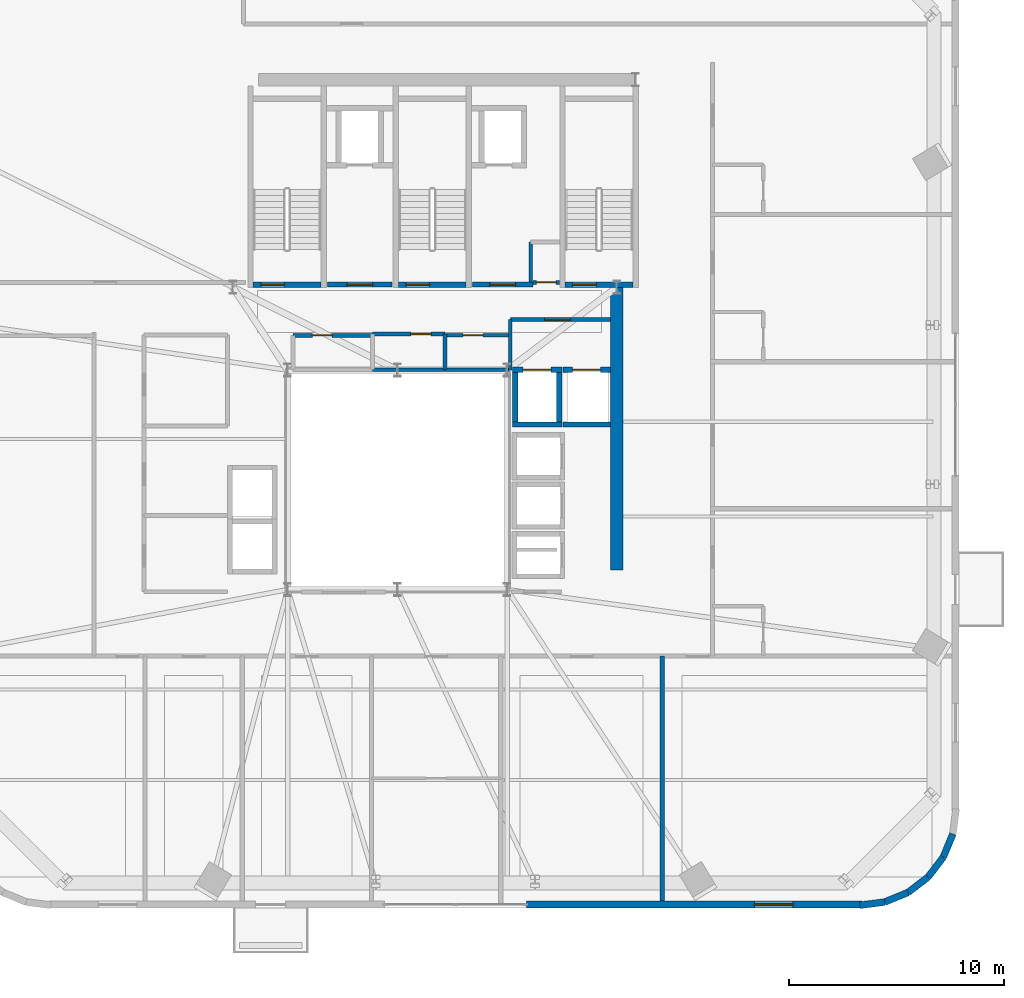
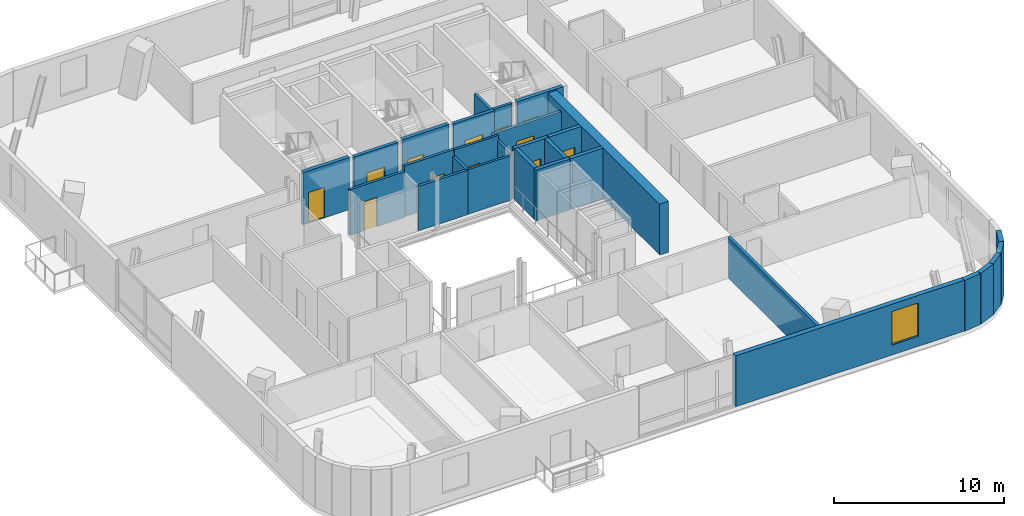
# One storey, part 8 of 12: 29 walls, 12 doors, 1 window, 13 openings.
"""IFC4 building model written with IfcOpenShell, lengths in metres."""

from ifc_helpers import new_model, si_unit, direction, frame, frame_2d, origin, place, context, subcontext, project, spatial, rectangle, extrude, source, transform, mapped, material, layer, layer_set, type_object, element, fill, save


model = new_model("IFC4")

# Units and contexts
model_context = context("Model", 3, precision=1e-05, world=origin(), true_north=direction((0.0, 1.0)))
body_context = subcontext(model_context, "Body", "Model", "MODEL_VIEW")
ifc_project = project(units=[si_unit("LENGTHUNIT", "METRE"), si_unit("AREAUNIT", "SQUARE_METRE"), si_unit("VOLUMEUNIT", "CUBIC_METRE"), si_unit("PLANEANGLEUNIT", "RADIAN"), si_unit("MASSUNIT", "GRAM", prefix="KILO")], contexts=[model_context])

# Site, building, storey
site_placement = place(None, origin())
site = spatial("IfcSite", under=ifc_project, at=site_placement, CompositionType="ELEMENT")
building_placement = place(site_placement, origin())
building = spatial("IfcBuilding", under=site, at=building_placement, Name="Vardaveli Station Tower", CompositionType="ELEMENT")
storey_placement = place(building_placement, frame((0.0, 0.0, 254.550048828125)))
storey = spatial("IfcBuildingStorey", under=building, at=storey_placement, Name="L65", CompositionType="ELEMENT", Elevation=254.550048828125)

# Wall
ifc_material_1 = material(Name="Concrete C50/60", Category="concrete")
ifc_layer_1 = layer(ifc_material_1, 0.60009765625, Name="Concrete C50/60")
ifc_layer_set_1 = layer_set([ifc_layer_1], Name="Concrete C50/60")
wall_type_1 = type_object("IfcWallType", Name="WAL-CORE-600", PredefinedType="SHEAR", material=ifc_layer_set_1)
shared_shape_1 = source(origin(), body_context, "Body", "SweptSolid", [
    extrude(rectangle(XDim=13.14990234375, YDim=0.60009765625, at=frame_2d((6.574951171875, 0.0))), origin(), (0.0, 0.0, 1.0), 3.64990234375),
])
wall_1_placement = place(storey_placement, frame((46.5, 17.5, 0.0), z_axis=(0.0, 0.0, 1.0), x_axis=(0.0, 1.0, 0.0)))
element("IfcWall", 1, at=wall_1_placement, inside=storey, type_object=wall_type_1, Name="SW-L65-EAST2", PredefinedType="SHEAR", context=body_context, shape_type="MappedRepresentation", body=[
    mapped(shared_shape_1, transform((0.0, 0.0, 0.0), scale=1.0)),
])

# Wall, opening, window
ifc_material_2 = material(Name="Precast concrete C45/55", Category="concrete")
ifc_layer_2 = layer(ifc_material_2, 0.320068359375, Name="Precast concrete C45/55")
ifc_layer_set_2 = layer_set([ifc_layer_2], Name="Precast concrete C45/55")
wall_type_2 = type_object("IfcWallType", Name="WAL-EXT-STONE-320", PredefinedType="SOLIDWALL", material=ifc_layer_set_2)
shared_shape_2 = source(origin(), body_context, "Body", "SweptSolid", [
    extrude(rectangle(XDim=15.599853515625, YDim=0.320068359375, at=frame_2d((7.7998046875, 0.0))), origin(), (0.0, 0.0, 1.0), 3.64990234375),
])
wall_2_placement = place(storey_placement, frame((42.300048828125, 1.9599609375, 0.0), z_axis=(0.0, 0.0, 1.0), x_axis=(1.0, 0.0, 0.0)))
wall_2 = element("IfcWall", 2, at=wall_2_placement, inside=storey, type_object=wall_type_2, Name="EW-L65-S2", PredefinedType="SOLIDWALL", context=body_context, shape_type="MappedRepresentation", body=[
    mapped(shared_shape_2, transform((0.0, 0.0, 0.0), scale=1.0)),
])
shared_shape_3 = source(origin(), body_context, "Body", "SweptSolid", [
    extrude(rectangle(XDim=1.800048828125, YDim=2.39990234375, at=frame_2d((0.89990234375, 1.199951171875))), frame((0.0, 0.169921875, 0.0), z_axis=(0.0, -1.0, 0.0), x_axis=(1.0, 0.0, 0.0)), (0.0, 0.0, 1.0), 0.340087890625),
])
opening_1_placement = place(wall_2_placement, frame((10.594970703125, 0.0, 0.719970703125)))
opening_1 = element("IfcOpeningElement", 3, at=opening_1_placement, cuts=wall_2, Name="Opening W-05", PredefinedType="OPENING", context=body_context, shape_type="MappedRepresentation", body=[
    mapped(shared_shape_3, transform((0.0, 0.0, 0.0), scale=1.0)),
])
ifc_material_3 = material(Name="Low-E solar-control glass", Category="glass")
window_type = type_object("IfcWindowType", Name="WIN-HIGH-1800x2400", PartitioningType="SINGLE_PANEL", PredefinedType="WINDOW", material=ifc_material_3)
shared_shape_4 = source(origin(), body_context, "Body", "SweptSolid", [
    extrude(rectangle(XDim=1.800048828125, YDim=2.39990234375, at=frame_2d((0.89990234375, 1.199951171875))), frame((0.0, 0.030029296875, 0.0), z_axis=(0.0, -1.0, 0.0), x_axis=(1.0, 0.0, 0.0)), (0.0, 0.0, 1.0), 0.06005859375),
])
window_placement = place(opening_1_placement, origin())
window = element("IfcWindow", 4, at=window_placement, inside=storey, type_object=window_type, Name="WN-L65-S2", OverallHeight=2.39990234375, OverallWidth=1.800048828125, PartitioningType="SINGLE_PANEL", PredefinedType="WINDOW", context=body_context, shape_type="MappedRepresentation", body=[
    mapped(shared_shape_4, transform((0.0, 0.0, 0.0), scale=1.0)),
])
fill(opening_1, window)

# Walls
shared_shape_5 = source(origin(), body_context, "Body", "SweptSolid", [
    extrude(rectangle(XDim=1.1689453125, YDim=0.320068359375, at=frame_2d((0.58447265625, 0.0))), origin(), (0.0, 0.0, 1.0), 3.64990234375),
])
for number, where, z_axis, x_axis, name in (
    (5, (60.96875, 3.231201171875, 0.0), (0.0, 0.0, 1.0), (0.608387696831, 0.793639975269, 0.0), "EW-L65-CR2-4"),
    (6, (61.679931640625, 4.158935546875, 0.0), (0.0, 0.0, 1.0), (0.381127904695, 0.924522320046, 0.0), "EW-L65-CR2-5"),
):
    element("IfcWall", number, at=place(storey_placement, frame(where, z_axis=z_axis, x_axis=x_axis)), inside=storey, type_object=wall_type_2, Name=name, PredefinedType="SOLIDWALL", context=body_context, shape_type="MappedRepresentation", body=[
        mapped(shared_shape_5, transform((0.0, 0.0, 0.0), scale=1.0)),
    ])
shared_shape_6 = source(origin(), body_context, "Body", "SweptSolid", [
    extrude(rectangle(XDim=1.168701171875, YDim=0.320068359375, at=frame_2d((0.58447265625, 0.0))), origin(), (0.0, 0.0, 1.0), 3.64990234375),
])
wall_3_placement = place(storey_placement, frame((60.041259765625, 2.520263671875, 0.0), z_axis=(0.0, 0.0, 1.0), x_axis=(0.793663520347, 0.608356981114, 0.0)))
element("IfcWall", 7, at=wall_3_placement, inside=storey, type_object=wall_type_2, Name="EW-L65-CR2-3", PredefinedType="SOLIDWALL", context=body_context, shape_type="MappedRepresentation", body=[
    mapped(shared_shape_6, transform((0.0, 0.0, 0.0), scale=1.0)),
])
shared_shape_7 = source(origin(), body_context, "Body", "SweptSolid", [
    extrude(rectangle(XDim=1.16943359375, YDim=0.320068359375, at=frame_2d((0.584716796875, 0.0))), origin(), (0.0, 0.0, 1.0), 3.64990234375),
])
wall_4_placement = place(storey_placement, frame((58.960205078125, 2.074462890625, 0.0), z_axis=(0.0, 0.0, 1.0), x_axis=(0.924479075121, 0.381232789334, 0.0)))
element("IfcWall", 8, at=wall_4_placement, inside=storey, type_object=wall_type_2, Name="EW-L65-CR2-2", PredefinedType="SOLIDWALL", context=body_context, shape_type="MappedRepresentation", body=[
    mapped(shared_shape_7, transform((0.0, 0.0, 0.0), scale=1.0)),
])
shared_shape_8 = source(origin(), body_context, "Body", "SweptSolid", [
    extrude(rectangle(XDim=1.170166015625, YDim=0.320068359375, at=frame_2d((0.5849609375, 0.0))), origin(), (0.0, 0.0, 1.0), 3.64990234375),
])
wall_5_placement = place(storey_placement, frame((57.799560546875, 1.924560546875, 0.0), z_axis=(0.0, 0.0, 1.0), x_axis=(0.991762485493, 0.128090485085, 0.0)))
element("IfcWall", 9, at=wall_5_placement, inside=storey, type_object=wall_type_2, Name="EW-L65-CR2-1", PredefinedType="SOLIDWALL", context=body_context, shape_type="MappedRepresentation", body=[
    mapped(shared_shape_8, transform((0.0, 0.0, 0.0), scale=1.0)),
])

# Wall, opening, door
ifc_material_4 = material(Name="Concrete C40/50", Category="concrete")
ifc_layer_3 = layer(ifc_material_4, 0.25, Name="Concrete C40/50")
ifc_layer_set_3 = layer_set([ifc_layer_3], Name="Concrete C40/50")
wall_type_3 = type_object("IfcWallType", Name="WAL-SHAFT-250", PredefinedType="SOLIDWALL", material=ifc_layer_set_3)
shared_shape_9 = source(origin(), body_context, "Body", "SweptSolid", [
    extrude(rectangle(XDim=3.14990234375, YDim=0.25, at=frame_2d((1.574951171875, 0.0))), origin(), (0.0, 0.0, 1.0), 3.75),
])
wall_6_placement = place(storey_placement, frame((29.60009765625, 30.77490234375, 0.0), z_axis=(0.0, 0.0, 1.0), x_axis=(1.0, 0.0, 0.0)))
wall_6 = element("IfcWall", 10, at=wall_6_placement, inside=storey, type_object=wall_type_3, Name="W-L65-ST-1S", PredefinedType="SOLIDWALL", context=body_context, shape_type="MappedRepresentation", body=[
    mapped(shared_shape_9, transform((0.0, 0.0, 0.0), scale=1.0)),
])
shared_shape_10 = source(origin(), body_context, "Body", "SweptSolid", [
    extrude(rectangle(XDim=1.10009765625, YDim=2.199951171875, at=frame_2d((0.550048828125, 1.10009765625))), frame((0.0, 0.135009765625, 0.0), z_axis=(0.0, -1.0, 0.0), x_axis=(1.0, 0.0, 0.0)), (0.0, 0.0, 1.0), 0.27001953125),
])
opening_2_placement = place(wall_6_placement, frame((0.35009765625, 0.0, 0.0)))
opening_2 = element("IfcOpeningElement", 11, at=opening_2_placement, cuts=wall_6, Name="Opening D-04", PredefinedType="OPENING", context=body_context, shape_type="MappedRepresentation", body=[
    mapped(shared_shape_10, transform((0.0, 0.0, 0.0), scale=1.0)),
])
ifc_material_5 = material(Name="Steel smokeproof fire doorset", Category="steel")
door_type_1 = type_object("IfcDoorType", Name="DR-ST-1100x2200", OperationType="NOTDEFINED", PredefinedType="DOOR", material=ifc_material_5)
shared_shape_11 = source(origin(), body_context, "Body", "SweptSolid", [
    extrude(rectangle(XDim=1.10009765625, YDim=2.199951171875, at=frame_2d((0.550048828125, 1.10009765625))), frame((0.0, 0.02490234375, 0.0), z_axis=(0.0, -1.0, 0.0), x_axis=(1.0, 0.0, 0.0)), (0.0, 0.0, 1.0), 0.050048828125),
])
door_1_placement = place(opening_2_placement, origin())
door_1 = element("IfcDoor", 12, at=door_1_placement, inside=storey, type_object=door_type_1, Name="DST-1-L65", OperationType="SINGLE_SWING_LEFT", OverallHeight=2.199951171875, OverallWidth=1.10009765625, PredefinedType="DOOR", context=body_context, shape_type="MappedRepresentation", body=[
    mapped(shared_shape_11, transform((0.0, 0.0, 0.0), scale=1.0)),
])
fill(opening_2, door_1)

wall_7_placement = place(storey_placement, frame((36.35009765625, 30.77490234375, 0.0), z_axis=(0.0, 0.0, 1.0), x_axis=(1.0, 0.0, 0.0)))
wall_7 = element("IfcWall", 13, at=wall_7_placement, inside=storey, type_object=wall_type_3, Name="W-L65-ST-2S", PredefinedType="SOLIDWALL", context=body_context, shape_type="MappedRepresentation", body=[
    mapped(shared_shape_9, transform((0.0, 0.0, 0.0), scale=1.0)),
])
opening_3_placement = place(wall_7_placement, frame((0.35009765625, 0.0, 0.0)))
opening_3 = element("IfcOpeningElement", 14, at=opening_3_placement, cuts=wall_7, Name="Opening D-04", PredefinedType="OPENING", context=body_context, shape_type="MappedRepresentation", body=[
    mapped(shared_shape_10, transform((0.0, 0.0, 0.0), scale=1.0)),
])
door_2_placement = place(opening_3_placement, origin())
door_2 = element("IfcDoor", 15, at=door_2_placement, inside=storey, type_object=door_type_1, Name="DST-2-L65", OperationType="SINGLE_SWING_LEFT", OverallHeight=2.199951171875, OverallWidth=1.10009765625, PredefinedType="DOOR", context=body_context, shape_type="MappedRepresentation", body=[
    mapped(shared_shape_11, transform((0.0, 0.0, 0.0), scale=1.0)),
])
fill(opening_3, door_2)

wall_8_placement = place(storey_placement, frame((44.10009765625, 30.77490234375, 0.0), z_axis=(0.0, 0.0, 1.0), x_axis=(1.0, 0.0, 0.0)))
wall_8 = element("IfcWall", 16, at=wall_8_placement, inside=storey, type_object=wall_type_3, Name="W-L65-ST-3S", PredefinedType="SOLIDWALL", context=body_context, shape_type="MappedRepresentation", body=[
    mapped(shared_shape_9, transform((0.0, 0.0, 0.0), scale=1.0)),
])
opening_4_placement = place(wall_8_placement, frame((0.35009765625, 0.0, 0.0)))
opening_4 = element("IfcOpeningElement", 17, at=opening_4_placement, cuts=wall_8, Name="Opening D-04", PredefinedType="OPENING", context=body_context, shape_type="MappedRepresentation", body=[
    mapped(shared_shape_10, transform((0.0, 0.0, 0.0), scale=1.0)),
])
door_3_placement = place(opening_4_placement, origin())
door_3 = element("IfcDoor", 18, at=door_3_placement, inside=storey, type_object=door_type_1, Name="DST-3-L65", OperationType="SINGLE_SWING_LEFT", OverallHeight=2.199951171875, OverallWidth=1.10009765625, PredefinedType="DOOR", context=body_context, shape_type="MappedRepresentation", body=[
    mapped(shared_shape_11, transform((0.0, 0.0, 0.0), scale=1.0)),
])
fill(opening_4, door_3)

ifc_layer_4 = layer(ifc_material_4, 0.219970703125, Name="Concrete C40/50")
ifc_layer_set_4 = layer_set([ifc_layer_4], Name="Concrete C40/50")
wall_type_4 = type_object("IfcWallType", Name="WAL-FFLOBBY-220", PredefinedType="SOLIDWALL", material=ifc_layer_set_4)
shared_shape_12 = source(origin(), body_context, "Body", "SweptSolid", [
    extrude(rectangle(XDim=3.0, YDim=0.219970703125, at=frame_2d((1.5, 0.0))), origin(), (0.0, 0.0, 1.0), 3.64990234375),
])
wall_9_placement = place(storey_placement, frame((33.050048828125, 30.780029296875, 0.0), z_axis=(0.0, 0.0, 1.0), x_axis=(1.0, 0.0, 0.0)))
wall_9 = element("IfcWall", 19, at=wall_9_placement, inside=storey, type_object=wall_type_4, Name="W-L65-FFL1S", PredefinedType="SOLIDWALL", context=body_context, shape_type="MappedRepresentation", body=[
    mapped(shared_shape_12, transform((0.0, 0.0, 0.0), scale=1.0)),
])
shared_shape_13 = source(origin(), body_context, "Body", "SweptSolid", [
    extrude(rectangle(XDim=1.199951171875, YDim=2.199951171875, at=frame_2d((0.60009765625, 1.10009765625))), frame((0.0, 0.1201171875, 0.0), z_axis=(0.0, -1.0, 0.0), x_axis=(1.0, 0.0, 0.0)), (0.0, 0.0, 1.0), 0.239990234375),
])
opening_5_placement = place(wall_9_placement, frame((0.89990234375, 0.0, 0.0)))
opening_5 = element("IfcOpeningElement", 20, at=opening_5_placement, cuts=wall_9, Name="Opening D-03", PredefinedType="OPENING", context=body_context, shape_type="MappedRepresentation", body=[
    mapped(shared_shape_13, transform((0.0, 0.0, 0.0), scale=1.0)),
])
door_type_2 = type_object("IfcDoorType", Name="DR-FFL-1200x2200", OperationType="NOTDEFINED", PredefinedType="DOOR", material=ifc_material_5)
shared_shape_14 = source(origin(), body_context, "Body", "SweptSolid", [
    extrude(rectangle(XDim=1.199951171875, YDim=2.199951171875, at=frame_2d((0.60009765625, 1.10009765625))), frame((0.0, 0.02490234375, 0.0), z_axis=(0.0, -1.0, 0.0), x_axis=(1.0, 0.0, 0.0)), (0.0, 0.0, 1.0), 0.050048828125),
])
door_4_placement = place(opening_5_placement, origin())
door_4 = element("IfcDoor", 21, at=door_4_placement, inside=storey, type_object=door_type_2, Name="DFFL1-L65", OperationType="SINGLE_SWING_LEFT", OverallHeight=2.199951171875, OverallWidth=1.199951171875, PredefinedType="DOOR", context=body_context, shape_type="MappedRepresentation", body=[
    mapped(shared_shape_14, transform((0.0, 0.0, 0.0), scale=1.0)),
])
fill(opening_5, door_4)

shared_shape_15 = source(origin(), body_context, "Body", "SweptSolid", [
    extrude(rectangle(XDim=2.800048828125, YDim=0.219970703125, at=frame_2d((1.39990234375, 0.0))), origin(), (0.0, 0.0, 1.0), 3.64990234375),
])
wall_10_placement = place(storey_placement, frame((39.800048828125, 30.780029296875, 0.0), z_axis=(0.0, 0.0, 1.0), x_axis=(1.0, 0.0, 0.0)))
wall_10 = element("IfcWall", 22, at=wall_10_placement, inside=storey, type_object=wall_type_4, Name="W-L65-FFL2S", PredefinedType="SOLIDWALL", context=body_context, shape_type="MappedRepresentation", body=[
    mapped(shared_shape_15, transform((0.0, 0.0, 0.0), scale=1.0)),
])
opening_6_placement = place(wall_10_placement, frame((0.800048828125, 0.0, 0.0)))
opening_6 = element("IfcOpeningElement", 23, at=opening_6_placement, cuts=wall_10, Name="Opening D-03", PredefinedType="OPENING", context=body_context, shape_type="MappedRepresentation", body=[
    mapped(shared_shape_13, transform((0.0, 0.0, 0.0), scale=1.0)),
])
door_5_placement = place(opening_6_placement, origin())
door_5 = element("IfcDoor", 24, at=door_5_placement, inside=storey, type_object=door_type_2, Name="DFFL2-L65", OperationType="SINGLE_SWING_RIGHT", OverallHeight=2.199951171875, OverallWidth=1.199951171875, PredefinedType="DOOR", context=body_context, shape_type="MappedRepresentation", body=[
    mapped(shared_shape_14, transform((0.0, 0.0, 0.0), scale=1.0)),
])
fill(opening_6, door_5)

# Wall
shared_shape_16 = source(origin(), body_context, "Body", "SweptSolid", [
    extrude(rectangle(XDim=2.300048828125, YDim=0.25, at=frame_2d((1.14990234375, 0.0))), origin(), (0.0, 0.0, 1.0), 3.64990234375),
])
wall_11_placement = place(storey_placement, frame((41.64990234375, 24.27490234375, 0.0), z_axis=(0.0, 0.0, 1.0), x_axis=(1.0, 0.0, 0.0)))
element("IfcWall", 25, at=wall_11_placement, inside=storey, type_object=wall_type_3, Name="SHW-SRV-01-L65-S", PredefinedType="SOLIDWALL", context=body_context, shape_type="MappedRepresentation", body=[
    mapped(shared_shape_16, transform((0.0, 0.0, 0.0), scale=1.0)),
])

# Wall, opening, door
wall_12_placement = place(storey_placement, frame((41.64990234375, 26.824951171875, 0.0), z_axis=(0.0, 0.0, 1.0), x_axis=(1.0, 0.0, 0.0)))
wall_12 = element("IfcWall", 26, at=wall_12_placement, inside=storey, type_object=wall_type_3, Name="SHW-SRV-01-L65-N", PredefinedType="SOLIDWALL", context=body_context, shape_type="MappedRepresentation", body=[
    mapped(shared_shape_16, transform((0.0, 0.0, 0.0), scale=1.0)),
])
shared_shape_17 = source(origin(), body_context, "Body", "SweptSolid", [
    extrude(rectangle(XDim=1.300048828125, YDim=2.300048828125, at=frame_2d((0.64990234375, 1.14990234375))), frame((0.0, 0.135009765625, 0.0), z_axis=(0.0, -1.0, 0.0), x_axis=(1.0, 0.0, 0.0)), (0.0, 0.0, 1.0), 0.27001953125),
])
opening_7_placement = place(wall_12_placement, frame((0.5, 0.0, 0.0)))
opening_7 = element("IfcOpeningElement", 27, at=opening_7_placement, cuts=wall_12, Name="Opening LD-03", PredefinedType="OPENING", context=body_context, shape_type="MappedRepresentation", body=[
    mapped(shared_shape_17, transform((0.0, 0.0, 0.0), scale=1.0)),
])
ifc_material_6 = material(Name="Brushed stainless steel", Category="steel")
door_type_3 = type_object("IfcDoorType", Name="DR-LD-1300x2300", OperationType="DOUBLE_DOOR_SLIDING", PredefinedType="DOOR", material=ifc_material_6)
shared_shape_18 = source(origin(), body_context, "Body", "SweptSolid", [
    extrude(rectangle(XDim=1.300048828125, YDim=2.300048828125, at=frame_2d((0.64990234375, 1.14990234375))), frame((0.0, 0.02490234375, 0.0), z_axis=(0.0, -1.0, 0.0), x_axis=(1.0, 0.0, 0.0)), (0.0, 0.0, 1.0), 0.050048828125),
])
door_6_placement = place(opening_7_placement, origin())
door_6 = element("IfcDoor", 28, at=door_6_placement, inside=storey, type_object=door_type_3, Name="LD-SRV-01-L65", OperationType="DOUBLE_DOOR_SLIDING", OverallHeight=2.300048828125, OverallWidth=1.300048828125, PredefinedType="DOOR", context=body_context, shape_type="MappedRepresentation", body=[
    mapped(shared_shape_18, transform((0.0, 0.0, 0.0), scale=1.0)),
])
fill(opening_7, door_6)

# Walls
for number, where, z_axis, x_axis, name in (
    (29, (41.77490234375, 24.39990234375, 0.0), (0.0, 0.0, 1.0), (0.0, 1.0, 0.0), "SHW-SRV-01-L65-W"),
    (30, (43.824951171875, 24.39990234375, 0.0), (0.0, 0.0, 1.0), (0.0, 1.0, 0.0), "SHW-SRV-01-L65-E"),
):
    element("IfcWall", number, at=place(storey_placement, frame(where, z_axis=z_axis, x_axis=x_axis)), inside=storey, type_object=wall_type_3, Name=name, PredefinedType="SOLIDWALL", context=body_context, shape_type="MappedRepresentation", body=[
        mapped(shared_shape_16, transform((0.0, 0.0, 0.0), scale=1.0)),
    ])
shared_shape_19 = source(origin(), body_context, "Body", "SweptSolid", [
    extrude(rectangle(XDim=2.199951171875, YDim=0.25, at=frame_2d((1.10009765625, 0.0))), origin(), (0.0, 0.0, 1.0), 3.64990234375),
])
wall_13_placement = place(storey_placement, frame((44.0, 24.27490234375, 0.0), z_axis=(0.0, 0.0, 1.0), x_axis=(1.0, 0.0, 0.0)))
element("IfcWall", 31, at=wall_13_placement, inside=storey, type_object=wall_type_3, Name="SHW-SRV-02-L65-S", PredefinedType="SOLIDWALL", context=body_context, shape_type="MappedRepresentation", body=[
    mapped(shared_shape_19, transform((0.0, 0.0, 0.0), scale=1.0)),
])

# Wall, opening, door
wall_14_placement = place(storey_placement, frame((44.0, 26.824951171875, 0.0), z_axis=(0.0, 0.0, 1.0), x_axis=(1.0, 0.0, 0.0)))
wall_14 = element("IfcWall", 32, at=wall_14_placement, inside=storey, type_object=wall_type_3, Name="SHW-SRV-02-L65-N", PredefinedType="SOLIDWALL", context=body_context, shape_type="MappedRepresentation", body=[
    mapped(shared_shape_19, transform((0.0, 0.0, 0.0), scale=1.0)),
])
opening_8_placement = place(wall_14_placement, frame((0.449951171875, 0.0, 0.0)))
opening_8 = element("IfcOpeningElement", 33, at=opening_8_placement, cuts=wall_14, Name="Opening LD-03", PredefinedType="OPENING", context=body_context, shape_type="MappedRepresentation", body=[
    mapped(shared_shape_17, transform((0.0, 0.0, 0.0), scale=1.0)),
])
door_7_placement = place(opening_8_placement, origin())
door_7 = element("IfcDoor", 34, at=door_7_placement, inside=storey, type_object=door_type_3, Name="LD-SRV-02-L65", OperationType="DOUBLE_DOOR_SLIDING", OverallHeight=2.300048828125, OverallWidth=1.300048828125, PredefinedType="DOOR", context=body_context, shape_type="MappedRepresentation", body=[
    mapped(shared_shape_18, transform((0.0, 0.0, 0.0), scale=1.0)),
])
fill(opening_8, door_7)

ifc_material_7 = material(Name="Fire-rated gypsum stud partition")
ifc_layer_5 = layer(ifc_material_7, 0.179931640625, Name="Fire-rated gypsum stud partition")
ifc_layer_set_5 = layer_set([ifc_layer_5], Name="Fire-rated gypsum stud partition")
wall_type_5 = type_object("IfcWallType", Name="WAL-CORR-180", PredefinedType="PARTITIONING", material=ifc_layer_set_5)
shared_shape_20 = source(origin(), body_context, "Body", "SweptSolid", [
    extrude(rectangle(XDim=4.64794921875, YDim=0.179931640625, at=frame_2d((2.323974609375, 0.0))), origin(), (0.0, 0.0, 1.0), 3.281982421875),
])
wall_15_placement = place(storey_placement, frame((41.550048828125, 29.14990234375, 0.0), z_axis=(0.0, 0.0, 1.0), x_axis=(1.0, 0.0, 0.0)))
wall_15 = element("IfcWall", 35, at=wall_15_placement, inside=storey, type_object=wall_type_5, Name="W-L65-SVFN", PredefinedType="PARTITIONING", context=body_context, shape_type="MappedRepresentation", body=[
    mapped(shared_shape_20, transform((0.0, 0.0, 0.0), scale=1.0)),
])
shared_shape_21 = source(origin(), body_context, "Body", "SweptSolid", [
    extrude(rectangle(XDim=1.199951171875, YDim=2.199951171875, at=frame_2d((0.60009765625, 1.10009765625))), frame((0.0, 0.10009765625, 0.0), z_axis=(0.0, -1.0, 0.0), x_axis=(1.0, 0.0, 0.0)), (0.0, 0.0, 1.0), 0.199951171875),
])
opening_9_placement = place(wall_15_placement, frame((1.60009765625, 0.0, 0.0)))
opening_9 = element("IfcOpeningElement", 36, at=opening_9_placement, cuts=wall_15, Name="Opening D-03", PredefinedType="OPENING", context=body_context, shape_type="MappedRepresentation", body=[
    mapped(shared_shape_21, transform((0.0, 0.0, 0.0), scale=1.0)),
])
door_8_placement = place(opening_9_placement, origin())
door_8 = element("IfcDoor", 37, at=door_8_placement, inside=storey, type_object=door_type_2, Name="D-L65-SVF", OperationType="SINGLE_SWING_RIGHT", OverallHeight=2.199951171875, OverallWidth=1.199951171875, PredefinedType="DOOR", context=body_context, shape_type="MappedRepresentation", body=[
    mapped(shared_shape_14, transform((0.0, 0.0, 0.0), scale=1.0)),
])
fill(opening_9, door_8)

# Walls
ifc_material_8 = material(Name="Acoustic twin-stud gypsum partition")
ifc_layer_6 = layer(ifc_material_8, 0.199951171875, Name="Acoustic twin-stud gypsum partition")
ifc_layer_set_6 = layer_set([ifc_layer_6], Name="Acoustic twin-stud gypsum partition")
wall_type_6 = type_object("IfcWallType", Name="WAL-PARTY-200", PredefinedType="PARTITIONING", material=ifc_layer_set_6)
shared_shape_22 = source(origin(), body_context, "Body", "SweptSolid", [
    extrude(rectangle(XDim=11.387939453125, YDim=0.199951171875, at=frame_2d((5.69384765625, 0.0))), origin(), (0.0, 0.0, 1.0), 2.891845703125),
])
wall_16_placement = place(storey_placement, frame((48.6201171875, 2.1220703125, 0.0), z_axis=(0.0, 0.0, 1.0), x_axis=(0.0, 1.0, 0.0)))
element("IfcWall", 38, at=wall_16_placement, inside=storey, type_object=wall_type_6, Name="W-L65-PS5", PredefinedType="PARTITIONING", context=body_context, shape_type="MappedRepresentation", body=[
    mapped(shared_shape_22, transform((0.0, 0.0, 0.0), scale=1.0)),
])
shared_shape_23 = source(origin(), body_context, "Body", "SweptSolid", [
    extrude(rectangle(XDim=2.349853515625, YDim=0.179931640625, at=frame_2d((1.1748046875, 0.0))), origin(), (0.0, 0.0, 1.0), 3.281982421875),
])
wall_17_placement = place(storey_placement, frame((41.550048828125, 26.800048828125, 0.0), z_axis=(0.0, 0.0, 1.0), x_axis=(0.0, 1.0, 0.0)))
element("IfcWall", 39, at=wall_17_placement, inside=storey, type_object=wall_type_5, Name="W-L65-SVFW", PredefinedType="PARTITIONING", context=body_context, shape_type="MappedRepresentation", body=[
    mapped(shared_shape_23, transform((0.0, 0.0, 0.0), scale=1.0)),
])
shared_shape_24 = source(origin(), body_context, "Body", "SweptSolid", [
    extrude(rectangle(XDim=1.85791015625, YDim=0.179931640625, at=frame_2d((0.928955078125, 0.0))), origin(), (0.0, 0.0, 1.0), 3.64990234375),
])
wall_18_placement = place(storey_placement, frame((42.5, 30.89208984375, 0.0), z_axis=(0.0, 0.0, 1.0), x_axis=(0.0, 1.0, 0.0)))
element("IfcWall", 40, at=wall_18_placement, inside=storey, type_object=wall_type_5, Name="W-L65-CBS2A-W", PredefinedType="PARTITIONING", context=body_context, shape_type="MappedRepresentation", body=[
    mapped(shared_shape_24, transform((0.0, 0.0, 0.0), scale=1.0)),
])

# Wall, opening, door
shared_shape_25 = source(origin(), body_context, "Body", "SweptSolid", [
    extrude(rectangle(XDim=3.699951171875, YDim=0.179931640625, at=frame_2d((1.85009765625, 0.0))), origin(), (0.0, 0.0, 1.0), 3.281982421875),
])
wall_19_placement = place(storey_placement, frame((31.449951171875, 28.419921875, 0.0), z_axis=(0.0, 0.0, 1.0), x_axis=(1.0, 0.0, 0.0)))
wall_19 = element("IfcWall", 41, at=wall_19_placement, inside=storey, type_object=wall_type_5, Name="W-L65-CS2A-N", PredefinedType="PARTITIONING", context=body_context, shape_type="MappedRepresentation", body=[
    mapped(shared_shape_25, transform((0.0, 0.0, 0.0), scale=1.0)),
])
shared_shape_26 = source(origin(), body_context, "Body", "SweptSolid", [
    extrude(rectangle(XDim=0.919921875, YDim=2.10009765625, at=frame_2d((0.4599609375, 1.050048828125))), frame((0.0, 0.10009765625, 0.0), z_axis=(0.0, -1.0, 0.0), x_axis=(1.0, 0.0, 0.0)), (0.0, 0.0, 1.0), 0.199951171875),
])
opening_10_placement = place(wall_19_placement, frame((0.89990234375, 0.0, 0.0)))
opening_10 = element("IfcOpeningElement", 42, at=opening_10_placement, cuts=wall_19, Name="Opening D-07", PredefinedType="OPENING", context=body_context, shape_type="MappedRepresentation", body=[
    mapped(shared_shape_26, transform((0.0, 0.0, 0.0), scale=1.0)),
])
ifc_material_9 = material(Name="Moisture-resistant hardwood door", Category="wood")
door_type_4 = type_object("IfcDoorType", Name="DR-WC-920x2100", OperationType="NOTDEFINED", PredefinedType="DOOR", material=ifc_material_9)
shared_shape_27 = source(origin(), body_context, "Body", "SweptSolid", [
    extrude(rectangle(XDim=0.919921875, YDim=2.10009765625, at=frame_2d((0.4599609375, 1.050048828125))), frame((0.0, 0.02490234375, 0.0), z_axis=(0.0, -1.0, 0.0), x_axis=(1.0, 0.0, 0.0)), (0.0, 0.0, 1.0), 0.050048828125),
])
door_9_placement = place(opening_10_placement, origin())
door_9 = element("IfcDoor", 43, at=door_9_placement, inside=storey, type_object=door_type_4, Name="D-L65-CS2A", OperationType="SINGLE_SWING_LEFT", OverallHeight=2.10009765625, OverallWidth=0.919921875, PredefinedType="DOOR", context=body_context, shape_type="MappedRepresentation", body=[
    mapped(shared_shape_27, transform((0.0, 0.0, 0.0), scale=1.0)),
])
fill(opening_10, door_9)

shared_shape_28 = source(origin(), body_context, "Body", "SweptSolid", [
    extrude(rectangle(XDim=3.3701171875, YDim=0.179931640625, at=frame_2d((1.68505859375, 0.0))), origin(), (0.0, 0.0, 1.0), 3.64990234375),
])
wall_20_placement = place(storey_placement, frame((35.14990234375, 28.47998046875, 0.0), z_axis=(0.0, 0.0, 1.0), x_axis=(1.0, 0.0, 0.0)))
wall_20 = element("IfcWall", 44, at=wall_20_placement, inside=storey, type_object=wall_type_5, Name="W-L65-HKP2-N", PredefinedType="PARTITIONING", context=body_context, shape_type="MappedRepresentation", body=[
    mapped(shared_shape_28, transform((0.0, 0.0, 0.0), scale=1.0)),
])
shared_shape_29 = source(origin(), body_context, "Body", "SweptSolid", [
    extrude(rectangle(XDim=0.949951171875, YDim=2.14990234375, at=frame_2d((0.47509765625, 1.074951171875))), frame((0.0, 0.10009765625, 0.0), z_axis=(0.0, -1.0, 0.0), x_axis=(1.0, 0.0, 0.0)), (0.0, 0.0, 1.0), 0.199951171875),
])
opening_11_placement = place(wall_20_placement, frame((1.77490234375, 0.0, 0.0)))
opening_11 = element("IfcOpeningElement", 45, at=opening_11_placement, cuts=wall_20, Name="Opening D-06", PredefinedType="OPENING", context=body_context, shape_type="MappedRepresentation", body=[
    mapped(shared_shape_29, transform((0.0, 0.0, 0.0), scale=1.0)),
])
ifc_material_10 = material(Name="Oak veneer acoustic fire door")
door_type_5 = type_object("IfcDoorType", Name="DR-GUEST-950x2150", OperationType="NOTDEFINED", PredefinedType="DOOR", material=ifc_material_10)
shared_shape_30 = source(origin(), body_context, "Body", "SweptSolid", [
    extrude(rectangle(XDim=0.949951171875, YDim=2.14990234375, at=frame_2d((0.47509765625, 1.074951171875))), frame((0.0, 0.02490234375, 0.0), z_axis=(0.0, -1.0, 0.0), x_axis=(1.0, 0.0, 0.0)), (0.0, 0.0, 1.0), 0.050048828125),
])
door_10_placement = place(opening_11_placement, origin())
door_10 = element("IfcDoor", 46, at=door_10_placement, inside=storey, type_object=door_type_5, Name="D-L65-HKP", OperationType="SINGLE_SWING_LEFT", OverallHeight=2.14990234375, OverallWidth=0.949951171875, PredefinedType="DOOR", context=body_context, shape_type="MappedRepresentation", body=[
    mapped(shared_shape_30, transform((0.0, 0.0, 0.0), scale=1.0)),
])
fill(opening_11, door_10)

ifc_material_11 = material(Name="Moisture-resistant stud partition")
ifc_layer_7 = layer(ifc_material_11, 0.14990234375, Name="Moisture-resistant stud partition")
ifc_layer_set_7 = layer_set([ifc_layer_7], Name="Moisture-resistant stud partition")
wall_type_7 = type_object("IfcWallType", Name="WAL-WET-150", PredefinedType="PARTITIONING", material=ifc_layer_set_7)
shared_shape_31 = source(origin(), body_context, "Body", "SweptSolid", [
    extrude(rectangle(XDim=3.0, YDim=0.14990234375, at=frame_2d((1.5, 0.0))), origin(), (0.0, 0.0, 1.0), 3.64990234375),
])
wall_21_placement = place(storey_placement, frame((38.52001953125, 28.419921875, 0.0), z_axis=(0.0, 0.0, 1.0), x_axis=(1.0, 0.0, 0.0)))
wall_21 = element("IfcWall", 47, at=wall_21_placement, inside=storey, type_object=wall_type_7, Name="W-L65-WCA2-N", PredefinedType="PARTITIONING", context=body_context, shape_type="MappedRepresentation", body=[
    mapped(shared_shape_31, transform((0.0, 0.0, 0.0), scale=1.0)),
])
shared_shape_32 = source(origin(), body_context, "Body", "SweptSolid", [
    extrude(rectangle(XDim=0.919921875, YDim=2.10009765625, at=frame_2d((0.4599609375, 1.050048828125))), frame((0.0, 0.0849609375, 0.0), z_axis=(0.0, -1.0, 0.0), x_axis=(1.0, 0.0, 0.0)), (0.0, 0.0, 1.0), 0.169921875),
])
opening_12_placement = place(wall_21_placement, frame((0.830078125, 0.0, 0.0)))
opening_12 = element("IfcOpeningElement", 48, at=opening_12_placement, cuts=wall_21, Name="Opening D-07", PredefinedType="OPENING", context=body_context, shape_type="MappedRepresentation", body=[
    mapped(shared_shape_32, transform((0.0, 0.0, 0.0), scale=1.0)),
])
door_11_placement = place(opening_12_placement, origin())
door_11 = element("IfcDoor", 49, at=door_11_placement, inside=storey, type_object=door_type_4, Name="D-L65-WCA", OperationType="SINGLE_SWING_LEFT", OverallHeight=2.10009765625, OverallWidth=0.919921875, PredefinedType="DOOR", context=body_context, shape_type="MappedRepresentation", body=[
    mapped(shared_shape_27, transform((0.0, 0.0, 0.0), scale=1.0)),
])
fill(opening_12, door_11)

shared_shape_33 = source(origin(), body_context, "Body", "SweptSolid", [
    extrude(rectangle(XDim=1.247802734375, YDim=0.179931640625, at=frame_2d((0.6240234375, 0.0))), origin(), (0.0, 0.0, 1.0), 3.64990234375),
])
wall_22_placement = place(storey_placement, frame((42.60009765625, 30.8798828125, 0.0), z_axis=(0.0, 0.0, 1.0), x_axis=(1.0, 0.0, 0.0)))
wall_22 = element("IfcWall", 50, at=wall_22_placement, inside=storey, type_object=wall_type_5, Name="W-L65-CBS2A-S", PredefinedType="PARTITIONING", context=body_context, shape_type="MappedRepresentation", body=[
    mapped(shared_shape_33, transform((0.0, 0.0, 0.0), scale=1.0)),
])
opening_13_placement = place(wall_22_placement, frame((0.1640625, 0.0, 0.0)))
opening_13 = element("IfcOpeningElement", 51, at=opening_13_placement, cuts=wall_22, Name="Opening D-07", PredefinedType="OPENING", context=body_context, shape_type="MappedRepresentation", body=[
    mapped(shared_shape_26, transform((0.0, 0.0, 0.0), scale=1.0)),
])
door_12_placement = place(opening_13_placement, origin())
door_12 = element("IfcDoor", 52, at=door_12_placement, inside=storey, type_object=door_type_4, Name="D-L65-CBS1", OperationType="SINGLE_SWING_LEFT", OverallHeight=2.10009765625, OverallWidth=0.919921875, PredefinedType="DOOR", context=body_context, shape_type="MappedRepresentation", body=[
    mapped(shared_shape_27, transform((0.0, 0.0, 0.0), scale=1.0)),
])
fill(opening_13, door_12)

# Walls
shared_shape_34 = source(origin(), body_context, "Body", "SweptSolid", [
    extrude(rectangle(XDim=3.3701171875, YDim=0.179931640625, at=frame_2d((1.68505859375, 0.0))), origin(), (0.0, 0.0, 1.0), 3.19189453125),
])
wall_23_placement = place(storey_placement, frame((35.14990234375, 26.820068359375, 0.0), z_axis=(0.0, 0.0, 1.0), x_axis=(1.0, 0.0, 0.0)))
element("IfcWall", 53, at=wall_23_placement, inside=storey, type_object=wall_type_5, Name="W-L65-HKP2-S", PredefinedType="PARTITIONING", context=body_context, shape_type="MappedRepresentation", body=[
    mapped(shared_shape_34, transform((0.0, 0.0, 0.0), scale=1.0)),
])
shared_shape_35 = source(origin(), body_context, "Body", "SweptSolid", [
    extrude(rectangle(XDim=3.0, YDim=0.14990234375, at=frame_2d((1.5, 0.0))), origin(), (0.0, 0.0, 1.0), 3.19189453125),
])
wall_24_placement = place(storey_placement, frame((38.52001953125, 26.820068359375, 0.0), z_axis=(0.0, 0.0, 1.0), x_axis=(1.0, 0.0, 0.0)))
element("IfcWall", 54, at=wall_24_placement, inside=storey, type_object=wall_type_7, Name="W-L65-WCA2-S", PredefinedType="PARTITIONING", context=body_context, shape_type="MappedRepresentation", body=[
    mapped(shared_shape_35, transform((0.0, 0.0, 0.0), scale=1.0)),
])
shared_shape_36 = source(origin(), body_context, "Body", "SweptSolid", [
    extrude(rectangle(XDim=1.659912109375, YDim=0.179931640625, at=frame_2d((0.830078125, 0.0))), origin(), (0.0, 0.0, 1.0), 3.19189453125),
])
wall_25_placement = place(storey_placement, frame((38.52001953125, 26.820068359375, 0.0), z_axis=(0.0, 0.0, 1.0), x_axis=(0.0, 1.0, 0.0)))
element("IfcWall", 55, at=wall_25_placement, inside=storey, type_object=wall_type_5, Name="W-L65-HKP2-E", PredefinedType="PARTITIONING", context=body_context, shape_type="MappedRepresentation", body=[
    mapped(shared_shape_36, transform((0.0, 0.0, 0.0), scale=1.0)),
])

save(model, "model.ifc")
